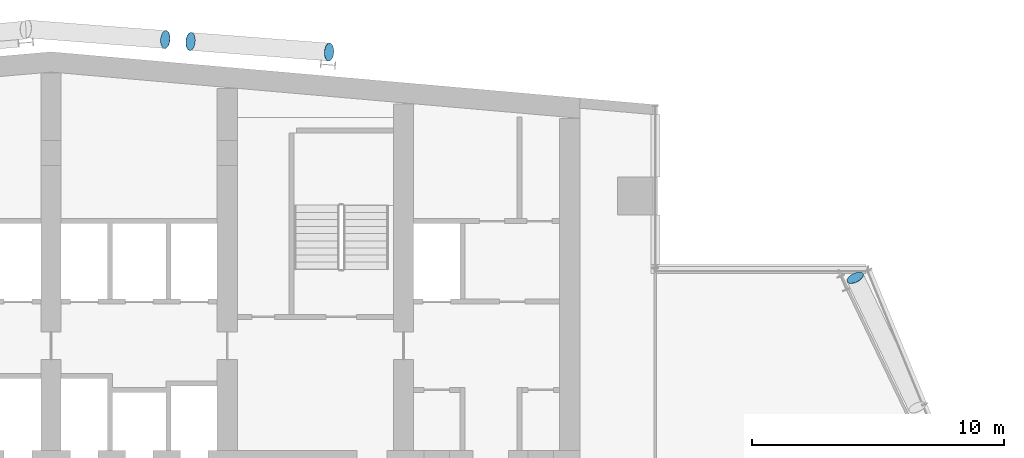
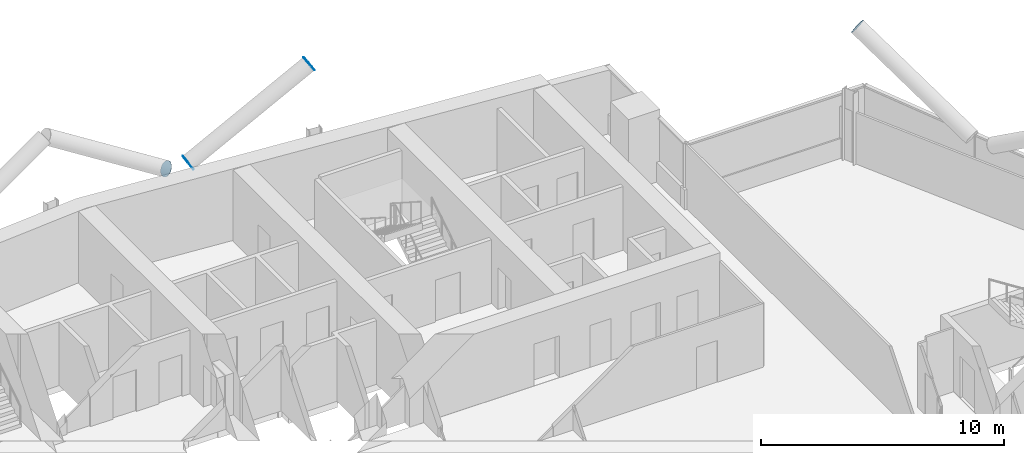
# One storey, part 23 of 27: 4 discrete accessories.
"""IFC4 building model written with IfcOpenShell, lengths in metres."""

from ifc_helpers import new_model, si_unit, direction, frame, origin, origin_2d, place, context, subcontext, project, spatial, circle, extrude, material, material_profile, profile_set, type_object, element, save


model = new_model("IFC4")

# Units and contexts
model_context = context("Model", 3, precision=1e-05, world=origin(), true_north=direction((0.0, 1.0)))
body_context = subcontext(model_context, "Body", "Model", "MODEL_VIEW")
ifc_project = project(units=[si_unit("LENGTHUNIT", "METRE"), si_unit("AREAUNIT", "SQUARE_METRE"), si_unit("VOLUMEUNIT", "CUBIC_METRE"), si_unit("PLANEANGLEUNIT", "RADIAN"), si_unit("MASSUNIT", "GRAM", prefix="KILO")], contexts=[model_context])

# Site, building, storey
site_placement = place(None, origin())
site = spatial("IfcSite", under=ifc_project, at=site_placement, CompositionType="ELEMENT")
building_placement = place(site_placement, origin())
building = spatial("IfcBuilding", under=site, at=building_placement, Name="Wharfspan Tower", CompositionType="ELEMENT")
storey_placement = place(building_placement, frame((0.0, 0.0, 195.100098)))
storey = spatial("IfcBuildingStorey", under=building, at=storey_placement, Name="L48", CompositionType="ELEMENT", Elevation=195.100098)

# Discrete accessories
ifc_material = material(Name="Steel S460NH", Category="steel")
ifc_material_profile = material_profile(ifc_material, circle(Radius=0.355469, at=origin_2d()))
ifc_profile_set = profile_set([ifc_material_profile], Name="Steel S460NH")
discrete_accessory_type = type_object("IfcDiscreteAccessoryType", Name="End plate CHS 711x36", PredefinedType="BRACKET", material=ifc_profile_set)
for number, where, z_axis, x_axis, name in (
    (1, (68.938721, 41.643066, 6.5), (-0.39036, 0.78072, 0.48795), (-0.894428, -0.447214, 0.0), "End plate CHS 711x36"),
    (2, (42.534668, 51.038086, 3.197754), (0.855186, -0.073302, 0.513112), (0.085402, 0.996345, -1e-06), "End plate CHS 711x36"),
    (3, (48.036865, 50.617676, 6.5), (0.856465, -0.048941, 0.513879), (0.05705, 0.998372, 0.0), "End plate CHS 711x36"),
    (4, (41.541992, 51.11377, 3.197754), (-0.855186, 0.073302, 0.513112), (-0.085402, -0.996345, -1e-06), "End plate CHS 711x36"),
):
    element("IfcDiscreteAccessory", number, at=place(storey_placement, frame(where, z_axis=z_axis, x_axis=x_axis)), inside=storey, type_object=discrete_accessory_type, Name=name, PredefinedType="BRACKET", context=body_context, shape_type="SweptSolid", body=[
        extrude(circle(Radius=0.355469, at=origin_2d()), origin(), (0.0, 0.0, 1.0), 0.01001),
    ])

save(model, "model.ifc")
